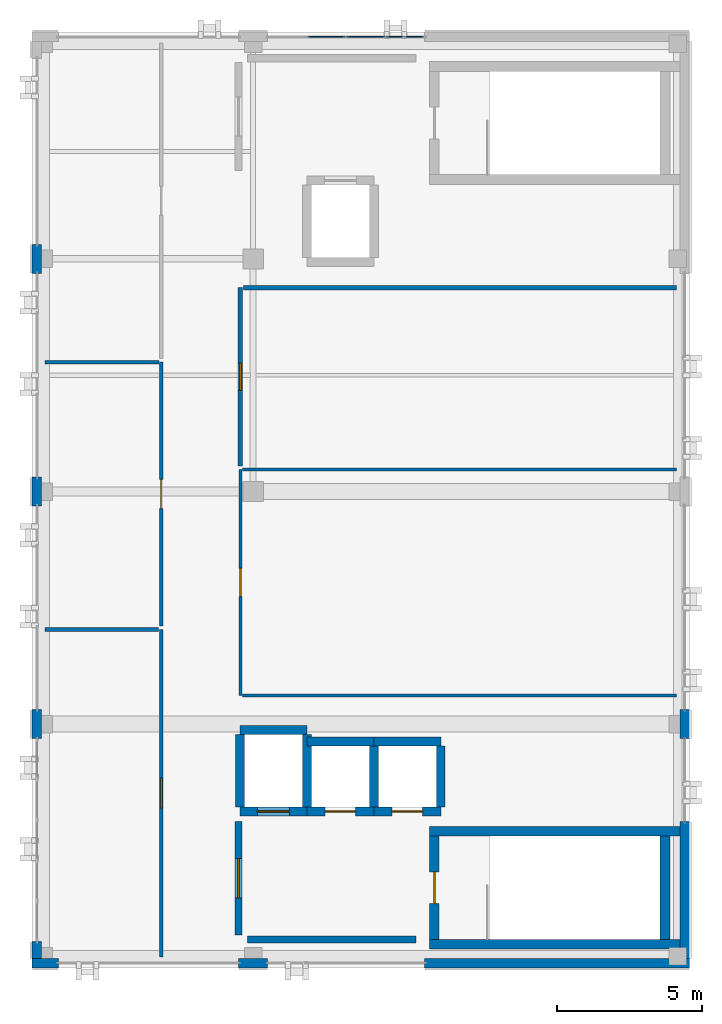
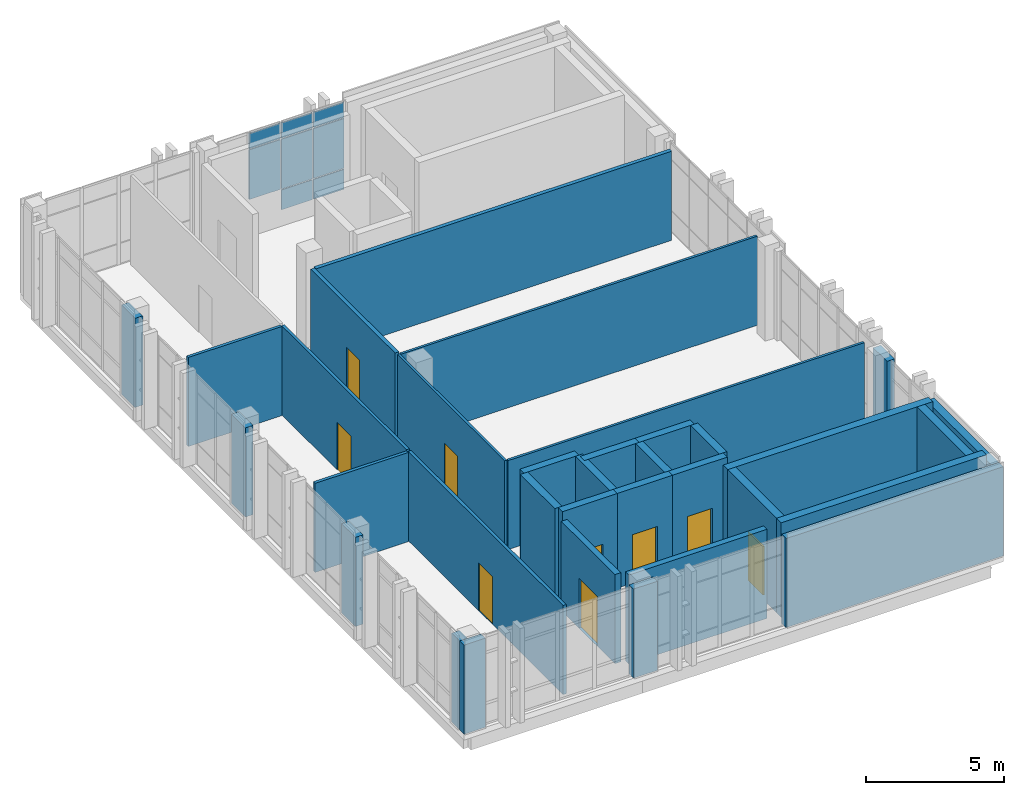
# One storey, part 17 of 19: 34 walls, 9 doors, 8 plates, 9 openings, 1 element without a shape of its own.
"""IFC4 building model written with IfcOpenShell, lengths in metres."""

from ifc_helpers import new_model, si_unit, direction, frame, frame_2d, origin, origin_2d, place, context, subcontext, project, spatial, rectangle, extrude, material, layer, layer_set, type_object, element, fill, aggregate, save


model = new_model("IFC4")

# Units and contexts
model_context = context("Model", 3, precision=1e-05, world=origin(), true_north=direction((0.0, 1.0)))
body_context = subcontext(model_context, "Body", "Model", "MODEL_VIEW")
ifc_project = project(units=[si_unit("LENGTHUNIT", "METRE"), si_unit("AREAUNIT", "SQUARE_METRE"), si_unit("VOLUMEUNIT", "CUBIC_METRE"), si_unit("PLANEANGLEUNIT", "RADIAN"), si_unit("MASSUNIT", "GRAM", prefix="KILO")], contexts=[model_context])

# Site, building, storey
site_placement = place(None, origin())
site = spatial("IfcSite", under=ifc_project, at=site_placement, CompositionType="ELEMENT")
building_placement = place(site_placement, origin())
building = spatial("IfcBuilding", under=site, at=building_placement, Name="Qalavern Law Courts", CompositionType="ELEMENT")
storey_placement = place(building_placement, frame((0.0, 0.0, 39.60009765625)))
storey = spatial("IfcBuildingStorey", under=building, at=storey_placement, Name="L09", CompositionType="ELEMENT", Elevation=39.60009765625)

# Curtain wall, plates
ifc_material_1 = material(Name="Anodised aluminium and insulated glazing", Category="aluminium")
ifc_layer_1 = layer(ifc_material_1, 0.159912109375)
ifc_layer_set_1 = layer_set([ifc_layer_1], Name="Anodised aluminium and insulated glazing")
curtain_wall_type = type_object("IfcCurtainWallType", Name="ENV-CW-CHAMB", PredefinedType="USERDEFINED", material=ifc_layer_set_1)
curtain_wall_placement = place(storey_placement, origin())
curtain_wall = element("IfcCurtainWall", 1, at=curtain_wall_placement, inside=storey, type_object=curtain_wall_type, Name="V4 unitised curtain wall L09 north 1", ObjectType="UNITISED CURTAIN WALL", PredefinedType="USERDEFINED")
ifc_material_2 = material(Name="Insulated low-E acoustic glazing", Category="glass")
ifc_layer_2 = layer(ifc_material_2, 0.0439453125)
ifc_layer_set_2 = layer_set([ifc_layer_2], Name="Insulated low-E acoustic glazing")
plate_type = type_object("IfcPlateType", Name="ENV-CWP-44", PredefinedType="CURTAIN_PANEL", material=ifc_layer_set_2)
plate_1_placement = place(storey_placement, frame((97.012939453125, 73.03759765625, 0.0478515625), z_axis=(0.0, 0.0, 1.0), x_axis=(-1.0, 0.0, 0.0)))
plate_1 = element("IfcPlate", 2, at=plate_1_placement, type_object=plate_type, Name="CW-04 panel 1.1", PredefinedType="CURTAIN_PANEL", context=body_context, shape_type="SweptSolid", body=[
    extrude(rectangle(XDim=1.278076171875, YDim=0.0439453125, at=origin_2d()), origin(), (0.0, 0.0, 1.0), 0.8779296875),
])
plate_2_placement = place(storey_placement, frame((97.012939453125, 73.03759765625, 0.97412109375), z_axis=(0.0, 0.0, 1.0), x_axis=(-1.0, 0.0, 0.0)))
plate_2 = element("IfcPlate", 3, at=plate_2_placement, type_object=plate_type, Name="CW-04 panel 1.2", PredefinedType="CURTAIN_PANEL", context=body_context, shape_type="SweptSolid", body=[
    extrude(rectangle(XDim=1.278076171875, YDim=0.0439453125, at=origin_2d()), origin(), (0.0, 0.0, 1.0), 2.201904296875),
])
plate_3_placement = place(storey_placement, frame((97.012939453125, 73.03759765625, 3.22412109375), z_axis=(0.0, 0.0, 1.0), x_axis=(-1.0, 0.0, 0.0)))
plate_3 = element("IfcPlate", 4, at=plate_3_placement, type_object=plate_type, Name="CW-04 panel 1.3", PredefinedType="CURTAIN_PANEL", context=body_context, shape_type="SweptSolid", body=[
    extrude(rectangle(XDim=1.278076171875, YDim=0.0439453125, at=origin_2d()), origin(), (0.0, 0.0, 1.0), 0.677978515625),
])
plate_4_placement = place(storey_placement, frame((95.675048828125, 73.03759765625, 0.0478515625), z_axis=(0.0, 0.0, 1.0), x_axis=(-1.0, 0.0, 0.0)))
plate_4 = element("IfcPlate", 5, at=plate_4_placement, type_object=plate_type, Name="CW-04 panel 2.1", PredefinedType="CURTAIN_PANEL", context=body_context, shape_type="SweptSolid", body=[
    extrude(rectangle(XDim=1.302001953125, YDim=0.0439453125, at=origin_2d()), origin(), (0.0, 0.0, 1.0), 0.8779296875),
])
plate_5_placement = place(storey_placement, frame((95.675048828125, 73.03759765625, 0.97412109375), z_axis=(0.0, 0.0, 1.0), x_axis=(-1.0, 0.0, 0.0)))
plate_5 = element("IfcPlate", 6, at=plate_5_placement, type_object=plate_type, Name="CW-04 panel 2.2", PredefinedType="CURTAIN_PANEL", context=body_context, shape_type="SweptSolid", body=[
    extrude(rectangle(XDim=1.302001953125, YDim=0.0439453125, at=origin_2d()), origin(), (0.0, 0.0, 1.0), 2.201904296875),
])
plate_6_placement = place(storey_placement, frame((95.675048828125, 73.03759765625, 3.22412109375), z_axis=(0.0, 0.0, 1.0), x_axis=(-1.0, 0.0, 0.0)))
plate_6 = element("IfcPlate", 7, at=plate_6_placement, type_object=plate_type, Name="CW-04 panel 2.3", PredefinedType="CURTAIN_PANEL", context=body_context, shape_type="SweptSolid", body=[
    extrude(rectangle(XDim=1.302001953125, YDim=0.0439453125, at=origin_2d()), origin(), (0.0, 0.0, 1.0), 0.677978515625),
])
plate_7_placement = place(storey_placement, frame((94.324951171875, 73.03759765625, 0.97412109375), z_axis=(0.0, 0.0, 1.0), x_axis=(-1.0, 0.0, 0.0)))
plate_7 = element("IfcPlate", 8, at=plate_7_placement, type_object=plate_type, Name="CW-04 panel 3.2", PredefinedType="CURTAIN_PANEL", context=body_context, shape_type="SweptSolid", body=[
    extrude(rectangle(XDim=1.302001953125, YDim=0.0439453125, at=origin_2d()), origin(), (0.0, 0.0, 1.0), 2.201904296875),
])
plate_8_placement = place(storey_placement, frame((94.324951171875, 73.03759765625, 3.22412109375), z_axis=(0.0, 0.0, 1.0), x_axis=(-1.0, 0.0, 0.0)))
plate_8 = element("IfcPlate", 9, at=plate_8_placement, type_object=plate_type, Name="CW-04 panel 3.3", PredefinedType="CURTAIN_PANEL", context=body_context, shape_type="SweptSolid", body=[
    extrude(rectangle(XDim=1.302001953125, YDim=0.0439453125, at=origin_2d()), origin(), (0.0, 0.0, 1.0), 0.677978515625),
])
aggregate(curtain_wall, [plate_1, plate_2, plate_3, plate_4, plate_5, plate_6, plate_7, plate_8])

# Walls
ifc_material_3 = material(Name="Concrete C40/50", Category="concrete")
ifc_layer_3 = layer(ifc_material_3, 0.324951171875)
ifc_layer_set_3 = layer_set([ifc_layer_3], Name="Concrete C40/50")
wall_type_1 = type_object("IfcWallType", Name="ENV-EW-325", PredefinedType="SOLIDWALL", material=ifc_layer_set_3)
wall_1_placement = place(storey_placement, frame((84.199951171875, 41.1826171875, 0.0), z_axis=(0.0, 0.0, 1.0), x_axis=(1.0, 0.0, 0.0)))
element("IfcWall", 10, at=wall_1_placement, inside=storey, type_object=wall_type_1, Name="V4 exterior pier wall L09 south 1", PredefinedType="SOLIDWALL", context=body_context, shape_type="SweptSolid", body=[
    extrude(rectangle(XDim=0.900146484375, YDim=0.324951171875, at=frame_2d((0.4501953125, 0.0))), origin(), (0.0, 0.0, 1.0), 3.949951171875),
])
wall_2_placement = place(storey_placement, frame((91.300048828125, 41.1826171875, 0.0), z_axis=(0.0, 0.0, 1.0), x_axis=(1.0, 0.0, 0.0)))
element("IfcWall", 11, at=wall_2_placement, inside=storey, type_object=wall_type_1, Name="V4 exterior pier wall L09 south 2", PredefinedType="SOLIDWALL", context=body_context, shape_type="SweptSolid", body=[
    extrude(rectangle(XDim=1.0, YDim=0.324951171875, at=frame_2d((0.5, 0.0))), origin(), (0.0, 0.0, 1.0), 3.949951171875),
])
wall_3_placement = place(storey_placement, frame((97.699951171875, 41.1826171875, 0.0), z_axis=(0.0, 0.0, 1.0), x_axis=(1.0, 0.0, 0.0)))
element("IfcWall", 12, at=wall_3_placement, inside=storey, type_object=wall_type_1, Name="V4 exterior pier wall L09 south 3", PredefinedType="SOLIDWALL", context=body_context, shape_type="SweptSolid", body=[
    extrude(rectangle(XDim=9.10009765625, YDim=0.324951171875, at=frame_2d((4.550048828125, 0.0))), origin(), (0.0, 0.0, 1.0), 3.949951171875),
])
wall_4_placement = place(storey_placement, frame((106.637451171875, 41.340087890625, 0.0), z_axis=(0.0, 0.0, 1.0), x_axis=(0.0, 1.0, 0.0)))
element("IfcWall", 13, at=wall_4_placement, inside=storey, type_object=wall_type_1, Name="V4 exterior pier wall L09 east 1", PredefinedType="SOLIDWALL", context=body_context, shape_type="SweptSolid", body=[
    extrude(rectangle(XDim=4.7099609375, YDim=0.324951171875, at=frame_2d((2.35498046875, 0.0))), origin(), (0.0, 0.0, 1.0), 3.949951171875),
])
for number, where, z_axis, x_axis, name in (
    (14, (106.637451171875, 48.89990234375, 0.0), (0.0, 0.0, 1.0), (0.0, 1.0, 0.0), "V4 exterior pier wall L09 east 2"),
    (15, (84.362548828125, 65.89990234375, 0.0), (0.0, 0.0, 1.0), (0.0, -1.0, 0.0), "V4 exterior pier wall L09 west 2"),
    (16, (84.362548828125, 57.89990234375, 0.0), (0.0, 0.0, 1.0), (0.0, -1.0, 0.0), "V4 exterior pier wall L09 west 3"),
    (17, (84.362548828125, 49.89990234375, 0.0), (0.0, 0.0, 1.0), (0.0, -1.0, 0.0), "V4 exterior pier wall L09 west 4"),
):
    element("IfcWall", number, at=place(storey_placement, frame(where, z_axis=z_axis, x_axis=x_axis)), inside=storey, type_object=wall_type_1, Name=name, PredefinedType="SOLIDWALL", context=body_context, shape_type="SweptSolid", body=[
        extrude(rectangle(XDim=1.0, YDim=0.324951171875, at=frame_2d((0.5, 0.0))), origin(), (0.0, 0.0, 1.0), 3.949951171875),
    ])
wall_5_placement = place(storey_placement, frame((84.362548828125, 41.919921875, 0.0), z_axis=(0.0, 0.0, 1.0), x_axis=(0.0, -1.0, 0.0)))
element("IfcWall", 18, at=wall_5_placement, inside=storey, type_object=wall_type_1, Name="V4 exterior pier wall L09 west 5", PredefinedType="SOLIDWALL", context=body_context, shape_type="SweptSolid", body=[
    extrude(rectangle(XDim=0.579833984375, YDim=0.324951171875, at=frame_2d((0.2900390625, 0.0))), origin(), (0.0, 0.0, 1.0), 3.949951171875),
])
ifc_material_4 = material(Name="Concrete C45/55", Category="concrete")
ifc_layer_4 = layer(ifc_material_4, 0.3349609375)
ifc_layer_set_4 = layer_set([ifc_layer_4], Name="Concrete C45/55")
wall_type_2 = type_object("IfcWallType", Name="INT-CW-335", PredefinedType="SHEAR", material=ifc_layer_set_4)
wall_6_placement = place(storey_placement, frame((97.864990234375, 41.83251953125, 0.0), z_axis=(0.0, 0.0, 1.0), x_axis=(1.0, 0.0, 0.0)))
element("IfcWall", 19, at=wall_6_placement, inside=storey, type_object=wall_type_2, Name="Core K1A stair shear wall L09 south", PredefinedType="SHEAR", context=body_context, shape_type="SweptSolid", body=[
    extrude(rectangle(XDim=8.60693359375, YDim=0.3349609375, at=frame_2d((4.303466796875, 0.0))), origin(), (0.0, 0.0, 1.0), 4.199951171875),
])
wall_7_placement = place(storey_placement, frame((105.967529296875, 42.0, 0.0), z_axis=(0.0, 0.0, 1.0), x_axis=(0.0, 1.0, 0.0)))
element("IfcWall", 20, at=wall_7_placement, inside=storey, type_object=wall_type_2, Name="Core K1A stair shear wall L09 east", PredefinedType="SHEAR", context=body_context, shape_type="SweptSolid", body=[
    extrude(rectangle(XDim=3.550048828125, YDim=0.3349609375, at=frame_2d((1.77490234375, 0.0))), origin(), (0.0, 0.0, 1.0), 4.199951171875),
])
wall_8_placement = place(storey_placement, frame((106.471923828125, 45.717529296875, 0.0), z_axis=(0.0, 0.0, 1.0), x_axis=(-1.0, 0.0, 0.0)))
element("IfcWall", 21, at=wall_8_placement, inside=storey, type_object=wall_type_2, Name="Core K1A stair shear wall L09 north", PredefinedType="SHEAR", context=body_context, shape_type="SweptSolid", body=[
    extrude(rectangle(XDim=8.60693359375, YDim=0.3349609375, at=frame_2d((4.303466796875, 0.0))), origin(), (0.0, 0.0, 1.0), 4.199951171875),
])

# Wall, opening, door
wall_9_placement = place(storey_placement, frame((98.032470703125, 45.550048828125, 0.0), z_axis=(0.0, 0.0, 1.0), x_axis=(0.0, -1.0, 0.0)))
wall_9 = element("IfcWall", 22, at=wall_9_placement, inside=storey, type_object=wall_type_2, Name="Core K1A stair shear wall L09 west", PredefinedType="SHEAR", context=body_context, shape_type="SweptSolid", body=[
    extrude(rectangle(XDim=3.550048828125, YDim=0.3349609375, at=frame_2d((1.77490234375, 0.0))), origin(), (0.0, 0.0, 1.0), 4.199951171875),
])
opening_1_placement = place(wall_9_placement, frame((1.22509765625, 0.0, 0.0)))
opening_1 = element("IfcOpeningElement", 23, at=opening_1_placement, cuts=wall_9, Name="Opening L09-D023", PredefinedType="OPENING", context=body_context, shape_type="SweptSolid", body=[
    extrude(rectangle(XDim=1.10009765625, YDim=2.14990234375, at=frame_2d((0.550048828125, 1.074951171875))), frame((0.0, 0.182373046875, 0.0), z_axis=(0.0, -1.0, 0.0), x_axis=(1.0, 0.0, 0.0)), (0.0, 0.0, 1.0), 0.36474609375),
])
ifc_material_5 = material(Name="Steel fire-rated stair enclosure door", Category="steel")
door_type_1 = type_object("IfcDoorType", Name="INT-FD-1100x2150", OperationType="NOTDEFINED", PredefinedType="DOOR", material=ifc_material_5)
door_1_placement = place(opening_1_placement, frame((1.10009765625, 0.0, 0.0), z_axis=(0.0, 0.0, 1.0), x_axis=(-1.0, 0.0, 0.0)))
door_1 = element("IfcDoor", 24, at=door_1_placement, inside=storey, type_object=door_type_1, Name="Stair K1A fire door L09", OperationType="SINGLE_SWING_RIGHT", OverallHeight=2.14990234375, OverallWidth=1.10009765625, PredefinedType="DOOR", context=body_context, shape_type="SweptSolid", body=[
    extrude(rectangle(XDim=1.10009765625, YDim=2.14990234375, at=frame_2d((0.550048828125, 1.074951171875))), frame((0.0, 0.02490234375, 0.0), z_axis=(0.0, -1.0, 0.0), x_axis=(1.0, 0.0, 0.0)), (0.0, 0.0, 1.0), 0.050048828125),
])
fill(opening_1, door_1)

ifc_layer_5 = layer(ifc_material_3, 0.2451171875)
ifc_layer_set_5 = layer_set([ifc_layer_5], Name="Concrete C40/50")
wall_type_3 = type_object("IfcWallType", Name="INT-FW-245", PredefinedType="PARTITIONING", material=ifc_layer_set_5)
wall_10_placement = place(storey_placement, frame((91.300048828125, 42.14990234375, 0.0), z_axis=(0.0, 0.0, 1.0), x_axis=(0.0, 1.0, 0.0)))
wall_10 = element("IfcWall", 25, at=wall_10_placement, inside=storey, type_object=wall_type_3, Name="Core K1A firefighting/stair lobby fire wall L09", PredefinedType="PARTITIONING", context=body_context, shape_type="SweptSolid", body=[
    extrude(rectangle(XDim=3.900146484375, YDim=0.2451171875, at=frame_2d((1.9501953125, 0.0))), origin(), (0.0, 0.0, 1.0), 3.949951171875),
])
opening_2_placement = place(wall_10_placement, frame((1.27490234375, 0.0, 0.0)))
opening_2 = element("IfcOpeningElement", 26, at=opening_2_placement, cuts=wall_10, Name="Opening L09-D024", PredefinedType="OPENING", context=body_context, shape_type="SweptSolid", body=[
    extrude(rectangle(XDim=1.35009765625, YDim=2.199951171875, at=frame_2d((0.675048828125, 1.10009765625))), frame((0.0, 0.137451171875, 0.0), z_axis=(0.0, -1.0, 0.0), x_axis=(1.0, 0.0, 0.0)), (0.0, 0.0, 1.0), 0.27490234375),
])
ifc_material_6 = material(Name="Steel fire-rated frame and acoustic timber leaves", Category="steel")
door_type_2 = type_object("IfcDoorType", Name="INT-FD-1350x2200", OperationType="DOUBLE_DOOR_SINGLE_SWING", PredefinedType="DOOR", material=ifc_material_6)
door_2_placement = place(opening_2_placement, origin())
door_2 = element("IfcDoor", 27, at=door_2_placement, inside=storey, type_object=door_type_2, Name="Core K1A lobby fire door L09", OperationType="DOUBLE_DOOR_SINGLE_SWING", OverallHeight=2.199951171875, OverallWidth=1.35009765625, PredefinedType="DOOR", context=body_context, shape_type="SweptSolid", body=[
    extrude(rectangle(XDim=1.35009765625, YDim=2.199951171875, at=frame_2d((0.675048828125, 1.10009765625))), frame((0.0, 0.02490234375, 0.0), z_axis=(0.0, -1.0, 0.0), x_axis=(1.0, 0.0, 0.0)), (0.0, 0.0, 1.0), 0.050048828125),
])
fill(opening_2, door_2)

# Wall
wall_11_placement = place(storey_placement, frame((91.60009765625, 42.0, 0.0), z_axis=(0.0, 0.0, 1.0), x_axis=(1.0, 0.0, 0.0)))
element("IfcWall", 28, at=wall_11_placement, inside=storey, type_object=wall_type_3, Name="Core K1A lobby return wall L09 south", PredefinedType="PARTITIONING", context=body_context, shape_type="SweptSolid", body=[
    extrude(rectangle(XDim=5.7998046875, YDim=0.2451171875, at=frame_2d((2.89990234375, 0.0))), origin(), (0.0, 0.0, 1.0), 3.949951171875),
])

# Wall, opening, door
ifc_material_7 = material(Name="Gypsum sanitary partition")
ifc_layer_6 = layer(ifc_material_7, 0.10205078125)
ifc_layer_set_6 = layer_set([ifc_layer_6], Name="Gypsum sanitary partition")
wall_type_4 = type_object("IfcWallType", Name="INT-PW-102", PredefinedType="PARTITIONING", material=ifc_layer_set_6)
wall_12_placement = place(storey_placement, frame((91.360107421875, 50.389892578125, 0.0), z_axis=(0.0, 0.0, 1.0), x_axis=(0.0, 1.0, 0.0)))
wall_12 = element("IfcWall", 29, at=wall_12_placement, inside=storey, type_object=wall_type_4, Name="Appellate Research Suite corridor partition L09", PredefinedType="PARTITIONING", context=body_context, shape_type="SweptSolid", body=[
    extrude(rectangle(XDim=7.775146484375, YDim=0.10205078125, at=frame_2d((3.8876953125, 0.0))), origin(), (0.0, 0.0, 1.0), 3.949951171875),
])
opening_3_placement = place(wall_12_placement, frame((3.407470703125, 0.0, 0.0)))
opening_3 = element("IfcOpeningElement", 30, at=opening_3_placement, cuts=wall_12, Name="Opening L09-D324", PredefinedType="OPENING", context=body_context, shape_type="SweptSolid", body=[
    extrude(rectangle(XDim=0.9599609375, YDim=2.080078125, at=frame_2d((0.47998046875, 1.0400390625))), frame((0.0, 0.06591796875, 0.0), z_axis=(0.0, -1.0, 0.0), x_axis=(1.0, 0.0, 0.0)), (0.0, 0.0, 1.0), 0.1318359375),
])
ifc_material_8 = material(Name="Timber Counsel Consultation door", Category="wood")
door_type_3 = type_object("IfcDoorType", Name="INT-ID-960x2080", OperationType="NOTDEFINED", PredefinedType="DOOR", material=ifc_material_8)
door_3_placement = place(opening_3_placement, origin())
door_3 = element("IfcDoor", 31, at=door_3_placement, inside=storey, type_object=door_type_3, Name="Appellate Research Suite door L09", OperationType="SINGLE_SWING_LEFT", OverallHeight=2.080078125, OverallWidth=0.9599609375, PredefinedType="DOOR", context=body_context, shape_type="SweptSolid", body=[
    extrude(rectangle(XDim=0.9599609375, YDim=2.080078125, at=frame_2d((0.47998046875, 1.0400390625))), frame((0.0, 0.02490234375, 0.0), z_axis=(0.0, -1.0, 0.0), x_axis=(1.0, 0.0, 0.0)), (0.0, 0.0, 1.0), 0.050048828125),
])
fill(opening_3, door_3)

# Walls
for number, where, z_axis, x_axis, name in (
    (32, (91.430908203125, 50.389892578125, 0.0), (0.0, 0.0, 1.0), (1.0, 0.0, 0.0), "Appellate Research Suite cross partition L09 south"),
    (33, (91.430908203125, 58.1650390625, 0.0), (0.0, 0.0, 1.0), (1.0, 0.0, 0.0), "Appellate Research Suite cross partition L09 north"),
):
    element("IfcWall", number, at=place(storey_placement, frame(where, z_axis=z_axis, x_axis=x_axis)), inside=storey, type_object=wall_type_4, Name=name, PredefinedType="PARTITIONING", context=body_context, shape_type="SweptSolid", body=[
        extrude(rectangle(XDim=14.92919921875, YDim=0.10205078125, at=frame_2d((7.464599609375, 0.0))), origin(), (0.0, 0.0, 1.0), 3.949951171875),
    ])

# Wall, opening, door
ifc_material_9 = material(Name="Gypsum stud partition")
ifc_layer_7 = layer(ifc_material_9, 0.1220703125)
ifc_layer_set_7 = layer_set([ifc_layer_7], Name="Gypsum stud partition")
wall_type_5 = type_object("IfcWallType", Name="INT-PW-122", PredefinedType="PARTITIONING", material=ifc_layer_set_7)
wall_13_placement = place(storey_placement, frame((88.639892578125, 52.778076171875, 0.0), z_axis=(0.0, 0.0, 1.0), x_axis=(0.0, 1.0, 0.0)))
wall_13 = element("IfcWall", 34, at=wall_13_placement, inside=storey, type_object=wall_type_5, Name="Plenary Judicial Boardroom corridor partition L09", PredefinedType="PARTITIONING", context=body_context, shape_type="SweptSolid", body=[
    extrude(rectangle(XDim=9.075927734375, YDim=0.1220703125, at=frame_2d((4.5380859375, 0.0))), origin(), (0.0, 0.0, 1.0), 3.949951171875),
])
opening_4_placement = place(wall_13_placement, frame((4.0380859375, 0.0, 0.0)))
opening_4 = element("IfcOpeningElement", 35, at=opening_4_placement, cuts=wall_13, Name="Opening L09-D322", PredefinedType="OPENING", context=body_context, shape_type="SweptSolid", body=[
    extrude(rectangle(XDim=1.0, YDim=2.10009765625, at=frame_2d((0.5, 1.050048828125))), frame((0.0, 0.075927734375, 0.0), z_axis=(0.0, -1.0, 0.0), x_axis=(1.0, 0.0, 0.0)), (0.0, 0.0, 1.0), 0.15185546875),
])
ifc_material_10 = material(Name="Timber Judicial Clerks' Office door", Category="wood")
door_type_4 = type_object("IfcDoorType", Name="INT-ID-1000x2100", OperationType="NOTDEFINED", PredefinedType="DOOR", material=ifc_material_10)
door_4_placement = place(opening_4_placement, frame((1.0, 0.0, 0.0), z_axis=(0.0, 0.0, 1.0), x_axis=(-1.0, 0.0, 0.0)))
door_4 = element("IfcDoor", 36, at=door_4_placement, inside=storey, type_object=door_type_4, Name="Plenary Judicial Boardroom door L09", OperationType="SINGLE_SWING_LEFT", OverallHeight=2.10009765625, OverallWidth=1.0, PredefinedType="DOOR", context=body_context, shape_type="SweptSolid", body=[
    extrude(rectangle(XDim=1.0, YDim=2.10009765625, at=frame_2d((0.5, 1.050048828125))), frame((0.0, 0.02490234375, 0.0), z_axis=(0.0, -1.0, 0.0), x_axis=(1.0, 0.0, 0.0)), (0.0, 0.0, 1.0), 0.050048828125),
])
fill(opening_4, door_4)

# Wall
wall_14_placement = place(storey_placement, frame((84.639892578125, 61.85400390625, 0.0), z_axis=(0.0, 0.0, 1.0), x_axis=(1.0, 0.0, 0.0)))
element("IfcWall", 37, at=wall_14_placement, inside=storey, type_object=wall_type_5, Name="Plenary Judicial Boardroom cross partition L09 north", PredefinedType="PARTITIONING", context=body_context, shape_type="SweptSolid", body=[
    extrude(rectangle(XDim=3.919189453125, YDim=0.1220703125, at=frame_2d((1.95947265625, 0.0))), origin(), (0.0, 0.0, 1.0), 3.949951171875),
])

# Wall, opening, door
ifc_layer_8 = layer(ifc_material_9, 0.132080078125)
ifc_layer_set_8 = layer_set([ifc_layer_8], Name="Gypsum stud partition")
wall_type_6 = type_object("IfcWallType", Name="INT-PW-132", PredefinedType="PARTITIONING", material=ifc_layer_set_8)
wall_15_placement = place(storey_placement, frame((88.639892578125, 41.39990234375, 0.0), z_axis=(0.0, 0.0, 1.0), x_axis=(0.0, 1.0, 0.0)))
wall_15 = element("IfcWall", 38, at=wall_15_placement, inside=storey, type_object=wall_type_6, Name="Senior Judges' Chambers corridor partition L09", PredefinedType="PARTITIONING", context=body_context, shape_type="SweptSolid", body=[
    extrude(rectangle(XDim=11.258056640625, YDim=0.132080078125, at=frame_2d((5.62890625, 0.0))), origin(), (0.0, 0.0, 1.0), 3.949951171875),
])
opening_5_placement = place(wall_15_placement, frame((5.114013671875, 0.0, 0.0)))
opening_5 = element("IfcOpeningElement", 39, at=opening_5_placement, cuts=wall_15, Name="Opening L09-D321", PredefinedType="OPENING", context=body_context, shape_type="SweptSolid", body=[
    extrude(rectangle(XDim=1.030029296875, YDim=2.110107421875, at=frame_2d((0.51513671875, 1.05517578125))), frame((0.0, 0.0810546875, 0.0), z_axis=(0.0, -1.0, 0.0), x_axis=(1.0, 0.0, 0.0)), (0.0, 0.0, 1.0), 0.161865234375),
])
ifc_material_11 = material(Name="Oak Mediation Suite door")
door_type_5 = type_object("IfcDoorType", Name="INT-ID-1030x2110", OperationType="NOTDEFINED", PredefinedType="DOOR", material=ifc_material_11)
door_5_placement = place(opening_5_placement, frame((1.030029296875, 0.0, 0.0), z_axis=(0.0, 0.0, 1.0), x_axis=(-1.0, 0.0, 0.0)))
door_5 = element("IfcDoor", 40, at=door_5_placement, inside=storey, type_object=door_type_5, Name="Senior Judges' Chambers door L09", OperationType="SINGLE_SWING_RIGHT", OverallHeight=2.110107421875, OverallWidth=1.030029296875, PredefinedType="DOOR", context=body_context, shape_type="SweptSolid", body=[
    extrude(rectangle(XDim=1.030029296875, YDim=2.110107421875, at=frame_2d((0.51513671875, 1.05517578125))), frame((0.0, 0.02490234375, 0.0), z_axis=(0.0, -1.0, 0.0), x_axis=(1.0, 0.0, 0.0)), (0.0, 0.0, 1.0), 0.050048828125),
])
fill(opening_5, door_5)

# Wall
wall_16_placement = place(storey_placement, frame((84.639892578125, 52.657958984375, 0.0), z_axis=(0.0, 0.0, 1.0), x_axis=(1.0, 0.0, 0.0)))
element("IfcWall", 41, at=wall_16_placement, inside=storey, type_object=wall_type_6, Name="Senior Judges' Chambers cross partition L09 north", PredefinedType="PARTITIONING", context=body_context, shape_type="SweptSolid", body=[
    extrude(rectangle(XDim=3.9140625, YDim=0.132080078125, at=frame_2d((1.95703125, 0.0))), origin(), (0.0, 0.0, 1.0), 3.949951171875),
])

# Wall, opening, door
ifc_layer_9 = layer(ifc_material_9, 0.162109375)
ifc_layer_set_9 = layer_set([ifc_layer_9], Name="Gypsum stud partition")
wall_type_7 = type_object("IfcWallType", Name="INT-PW-162", PredefinedType="PARTITIONING", material=ifc_layer_set_9)
wall_17_placement = place(storey_placement, frame((91.360107421875, 58.284912109375, 0.0), z_axis=(0.0, 0.0, 1.0), x_axis=(0.0, 1.0, 0.0)))
wall_17 = element("IfcWall", 42, at=wall_17_placement, inside=storey, type_object=wall_type_7, Name="Accessible WC corridor partition L09", PredefinedType="PARTITIONING", context=body_context, shape_type="SweptSolid", body=[
    extrude(rectangle(XDim=6.125, YDim=0.162109375, at=frame_2d((3.0625, 0.0))), origin(), (0.0, 0.0, 1.0), 3.949951171875),
])
opening_6_placement = place(wall_17_placement, frame((2.592529296875, 0.0, 0.0)))
opening_6 = element("IfcOpeningElement", 43, at=opening_6_placement, cuts=wall_17, Name="Opening L09-D325", PredefinedType="OPENING", context=body_context, shape_type="SweptSolid", body=[
    extrude(rectangle(XDim=0.93994140625, YDim=2.070068359375, at=frame_2d((0.469970703125, 1.03515625))), frame((0.0, 0.095947265625, 0.0), z_axis=(0.0, -1.0, 0.0), x_axis=(1.0, 0.0, 0.0)), (0.0, 0.0, 1.0), 0.19189453125),
])
ifc_material_12 = material(Name="Accessible WC outward-clear door")
door_type_6 = type_object("IfcDoorType", Name="INT-ID-940x2070", OperationType="NOTDEFINED", PredefinedType="DOOR", material=ifc_material_12)
door_6_placement = place(opening_6_placement, origin())
door_6 = element("IfcDoor", 44, at=door_6_placement, inside=storey, type_object=door_type_6, Name="Accessible WC door L09", OperationType="SINGLE_SWING_RIGHT", OverallHeight=2.070068359375, OverallWidth=0.93994140625, PredefinedType="DOOR", context=body_context, shape_type="SweptSolid", body=[
    extrude(rectangle(XDim=0.93994140625, YDim=2.070068359375, at=frame_2d((0.469970703125, 1.03515625))), frame((0.0, 0.02490234375, 0.0), z_axis=(0.0, -1.0, 0.0), x_axis=(1.0, 0.0, 0.0)), (0.0, 0.0, 1.0), 0.050048828125),
])
fill(opening_6, door_6)

# Wall
wall_18_placement = place(storey_placement, frame((91.4609375, 64.409912109375, 0.0), z_axis=(0.0, 0.0, 1.0), x_axis=(1.0, 0.0, 0.0)))
element("IfcWall", 45, at=wall_18_placement, inside=storey, type_object=wall_type_7, Name="Accessible WC cross partition L09 north", PredefinedType="PARTITIONING", context=body_context, shape_type="SweptSolid", body=[
    extrude(rectangle(XDim=14.899169921875, YDim=0.162109375, at=frame_2d((7.44970703125, 0.0))), origin(), (0.0, 0.0, 1.0), 3.949951171875),
])

# Wall, opening, door
ifc_layer_10 = layer(ifc_material_4, 0.304931640625)
ifc_layer_set_10 = layer_set([ifc_layer_10], Name="Concrete C45/55")
wall_type_8 = type_object("IfcWallType", Name="INT-SW-305", PredefinedType="SHEAR", material=ifc_layer_set_10)
wall_19_placement = place(storey_placement, frame((91.347412109375, 46.3974609375, 0.0), z_axis=(0.0, 0.0, 1.0), x_axis=(1.0, 0.0, 0.0)))
wall_19 = element("IfcWall", 46, at=wall_19_placement, inside=storey, type_object=wall_type_8, Name="Lift LF-FF1 shaft wall L09 south", PredefinedType="SHEAR", context=body_context, shape_type="SweptSolid", body=[
    extrude(rectangle(XDim=2.30517578125, YDim=0.304931640625, at=frame_2d((1.152587890625, 0.0))), origin(), (0.0, 0.0, 1.0), 4.199951171875),
])
opening_7_placement = place(wall_19_placement, frame((0.6025390625, 0.0, 0.0)))
opening_7 = element("IfcOpeningElement", 47, at=opening_7_placement, cuts=wall_19, Name="Opening LD-LF-FF1-L09", PredefinedType="OPENING", context=body_context, shape_type="SweptSolid", body=[
    extrude(rectangle(XDim=1.10009765625, YDim=2.159912109375, at=frame_2d((0.550048828125, 1.080078125))), frame((0.0, 0.16748046875, 0.0), z_axis=(0.0, -1.0, 0.0), x_axis=(1.0, 0.0, 0.0)), (0.0, 0.0, 1.0), 0.334716796875),
])
ifc_material_13 = material(Name="Stainless steel firefighting lift sliding landing door", Category="steel")
door_type_7 = type_object("IfcDoorType", Name="INT-LD-1100x2160", OperationType="DOUBLE_DOOR_SLIDING", PredefinedType="DOOR", material=ifc_material_13)
door_7_placement = place(opening_7_placement, origin())
door_7 = element("IfcDoor", 48, at=door_7_placement, inside=storey, type_object=door_type_7, Name="Lift LF-FF1 sliding landing door L09", OperationType="DOUBLE_DOOR_SLIDING", OverallHeight=2.159912109375, OverallWidth=1.10009765625, PredefinedType="DOOR", context=body_context, shape_type="SweptSolid", body=[
    extrude(rectangle(XDim=1.10009765625, YDim=2.159912109375, at=frame_2d((0.550048828125, 1.080078125))), frame((0.0, 0.02490234375, 0.0), z_axis=(0.0, -1.0, 0.0), x_axis=(1.0, 0.0, 0.0)), (0.0, 0.0, 1.0), 0.050048828125),
])
fill(opening_7, door_7)

# Walls
wall_20_placement = place(storey_placement, frame((93.652587890625, 46.550048828125, 0.0), z_axis=(0.0, 0.0, 1.0), x_axis=(0.0, 1.0, 0.0)))
element("IfcWall", 49, at=wall_20_placement, inside=storey, type_object=wall_type_8, Name="Lift LF-FF1 shaft wall L09 east", PredefinedType="SHEAR", context=body_context, shape_type="SweptSolid", body=[
    extrude(rectangle(XDim=2.5, YDim=0.304931640625, at=frame_2d((1.25, 0.0))), origin(), (0.0, 0.0, 1.0), 4.199951171875),
])
wall_21_placement = place(storey_placement, frame((93.652587890625, 49.202392578125, 0.0), z_axis=(0.0, 0.0, 1.0), x_axis=(-1.0, 0.0, 0.0)))
element("IfcWall", 50, at=wall_21_placement, inside=storey, type_object=wall_type_8, Name="Lift LF-FF1 shaft wall L09 north", PredefinedType="SHEAR", context=body_context, shape_type="SweptSolid", body=[
    extrude(rectangle(XDim=2.30517578125, YDim=0.304931640625, at=frame_2d((1.152587890625, 0.0))), origin(), (0.0, 0.0, 1.0), 4.199951171875),
])
wall_22_placement = place(storey_placement, frame((91.347412109375, 49.050048828125, 0.0), z_axis=(0.0, 0.0, 1.0), x_axis=(0.0, -1.0, 0.0)))
element("IfcWall", 51, at=wall_22_placement, inside=storey, type_object=wall_type_8, Name="Lift LF-FF1 shaft wall L09 west", PredefinedType="SHEAR", context=body_context, shape_type="SweptSolid", body=[
    extrude(rectangle(XDim=2.5, YDim=0.304931640625, at=frame_2d((1.25, 0.0))), origin(), (0.0, 0.0, 1.0), 4.199951171875),
])

# Wall, opening, door
wall_23_placement = place(storey_placement, frame((93.6474609375, 46.3974609375, 0.0), z_axis=(0.0, 0.0, 1.0), x_axis=(1.0, 0.0, 0.0)))
wall_23 = element("IfcWall", 52, at=wall_23_placement, inside=storey, type_object=wall_type_8, Name="Lift LF-P1 shaft wall L09 south", PredefinedType="SHEAR", context=body_context, shape_type="SweptSolid", body=[
    extrude(rectangle(XDim=2.304931640625, YDim=0.304931640625, at=frame_2d((1.15234375, 0.0))), origin(), (0.0, 0.0, 1.0), 4.199951171875),
])
opening_8_placement = place(wall_23_placement, frame((0.62744140625, 0.0, 0.0)))
opening_8 = element("IfcOpeningElement", 53, at=opening_8_placement, cuts=wall_23, Name="Opening LD-LF-P1-L09", PredefinedType="OPENING", context=body_context, shape_type="SweptSolid", body=[
    extrude(rectangle(XDim=1.050048828125, YDim=2.14990234375, at=frame_2d((0.52490234375, 1.074951171875))), frame((0.0, 0.16748046875, 0.0), z_axis=(0.0, -1.0, 0.0), x_axis=(1.0, 0.0, 0.0)), (0.0, 0.0, 1.0), 0.334716796875),
])
ifc_material_14 = material(Name="Brushed stainless steel passenger lift sliding landing door", Category="steel")
door_type_8 = type_object("IfcDoorType", Name="INT-LD-1050x2150", OperationType="DOUBLE_DOOR_SLIDING", PredefinedType="DOOR", material=ifc_material_14)
door_8_placement = place(opening_8_placement, origin())
door_8 = element("IfcDoor", 54, at=door_8_placement, inside=storey, type_object=door_type_8, Name="Lift LF-P1 sliding landing door L09", OperationType="DOUBLE_DOOR_SLIDING", OverallHeight=2.14990234375, OverallWidth=1.050048828125, PredefinedType="DOOR", context=body_context, shape_type="SweptSolid", body=[
    extrude(rectangle(XDim=1.050048828125, YDim=2.14990234375, at=frame_2d((0.52490234375, 1.074951171875))), frame((0.0, 0.02490234375, 0.0), z_axis=(0.0, -1.0, 0.0), x_axis=(1.0, 0.0, 0.0)), (0.0, 0.0, 1.0), 0.050048828125),
])
fill(opening_8, door_8)

# Walls
wall_24_placement = place(storey_placement, frame((95.952392578125, 46.550048828125, 0.0), z_axis=(0.0, 0.0, 1.0), x_axis=(0.0, 1.0, 0.0)))
element("IfcWall", 55, at=wall_24_placement, inside=storey, type_object=wall_type_8, Name="Lift LF-P1 shaft wall L09 east", PredefinedType="SHEAR", context=body_context, shape_type="SweptSolid", body=[
    extrude(rectangle(XDim=2.099853515625, YDim=0.304931640625, at=frame_2d((1.0498046875, 0.0))), origin(), (0.0, 0.0, 1.0), 4.199951171875),
])
wall_25_placement = place(storey_placement, frame((95.952392578125, 48.802490234375, 0.0), z_axis=(0.0, 0.0, 1.0), x_axis=(-1.0, 0.0, 0.0)))
element("IfcWall", 56, at=wall_25_placement, inside=storey, type_object=wall_type_8, Name="Lift LF-P1 shaft wall L09 north", PredefinedType="SHEAR", context=body_context, shape_type="SweptSolid", body=[
    extrude(rectangle(XDim=2.304931640625, YDim=0.304931640625, at=frame_2d((1.15234375, 0.0))), origin(), (0.0, 0.0, 1.0), 4.199951171875),
])

# Wall, opening, door
wall_26_placement = place(storey_placement, frame((95.947509765625, 46.3974609375, 0.0), z_axis=(0.0, 0.0, 1.0), x_axis=(1.0, 0.0, 0.0)))
wall_26 = element("IfcWall", 57, at=wall_26_placement, inside=storey, type_object=wall_type_8, Name="Lift LF-P2 shaft wall L09 south", PredefinedType="SHEAR", context=body_context, shape_type="SweptSolid", body=[
    extrude(rectangle(XDim=2.304931640625, YDim=0.304931640625, at=frame_2d((1.15234375, 0.0))), origin(), (0.0, 0.0, 1.0), 4.199951171875),
])
opening_9_placement = place(wall_26_placement, frame((0.62744140625, 0.0, 0.0)))
opening_9 = element("IfcOpeningElement", 58, at=opening_9_placement, cuts=wall_26, Name="Opening LD-LF-P2-L09", PredefinedType="OPENING", context=body_context, shape_type="SweptSolid", body=[
    extrude(rectangle(XDim=1.050048828125, YDim=2.14990234375, at=frame_2d((0.52490234375, 1.074951171875))), frame((0.0, 0.16748046875, 0.0), z_axis=(0.0, -1.0, 0.0), x_axis=(1.0, 0.0, 0.0)), (0.0, 0.0, 1.0), 0.334716796875),
])
door_9_placement = place(opening_9_placement, origin())
door_9 = element("IfcDoor", 59, at=door_9_placement, inside=storey, type_object=door_type_8, Name="Lift LF-P2 sliding landing door L09", OperationType="DOUBLE_DOOR_SLIDING", OverallHeight=2.14990234375, OverallWidth=1.050048828125, PredefinedType="DOOR", context=body_context, shape_type="SweptSolid", body=[
    extrude(rectangle(XDim=1.050048828125, YDim=2.14990234375, at=frame_2d((0.52490234375, 1.074951171875))), frame((0.0, 0.02490234375, 0.0), z_axis=(0.0, -1.0, 0.0), x_axis=(1.0, 0.0, 0.0)), (0.0, 0.0, 1.0), 0.050048828125),
])
fill(opening_9, door_9)

# Walls
wall_27_placement = place(storey_placement, frame((98.25244140625, 46.550048828125, 0.0), z_axis=(0.0, 0.0, 1.0), x_axis=(0.0, 1.0, 0.0)))
element("IfcWall", 60, at=wall_27_placement, inside=storey, type_object=wall_type_8, Name="Lift LF-P2 shaft wall L09 east", PredefinedType="SHEAR", context=body_context, shape_type="SweptSolid", body=[
    extrude(rectangle(XDim=2.099853515625, YDim=0.304931640625, at=frame_2d((1.0498046875, 0.0))), origin(), (0.0, 0.0, 1.0), 4.199951171875),
])
wall_28_placement = place(storey_placement, frame((98.25244140625, 48.802490234375, 0.0), z_axis=(0.0, 0.0, 1.0), x_axis=(-1.0, 0.0, 0.0)))
element("IfcWall", 61, at=wall_28_placement, inside=storey, type_object=wall_type_8, Name="Lift LF-P2 shaft wall L09 north", PredefinedType="SHEAR", context=body_context, shape_type="SweptSolid", body=[
    extrude(rectangle(XDim=2.304931640625, YDim=0.304931640625, at=frame_2d((1.15234375, 0.0))), origin(), (0.0, 0.0, 1.0), 4.199951171875),
])

save(model, "model.ifc")
